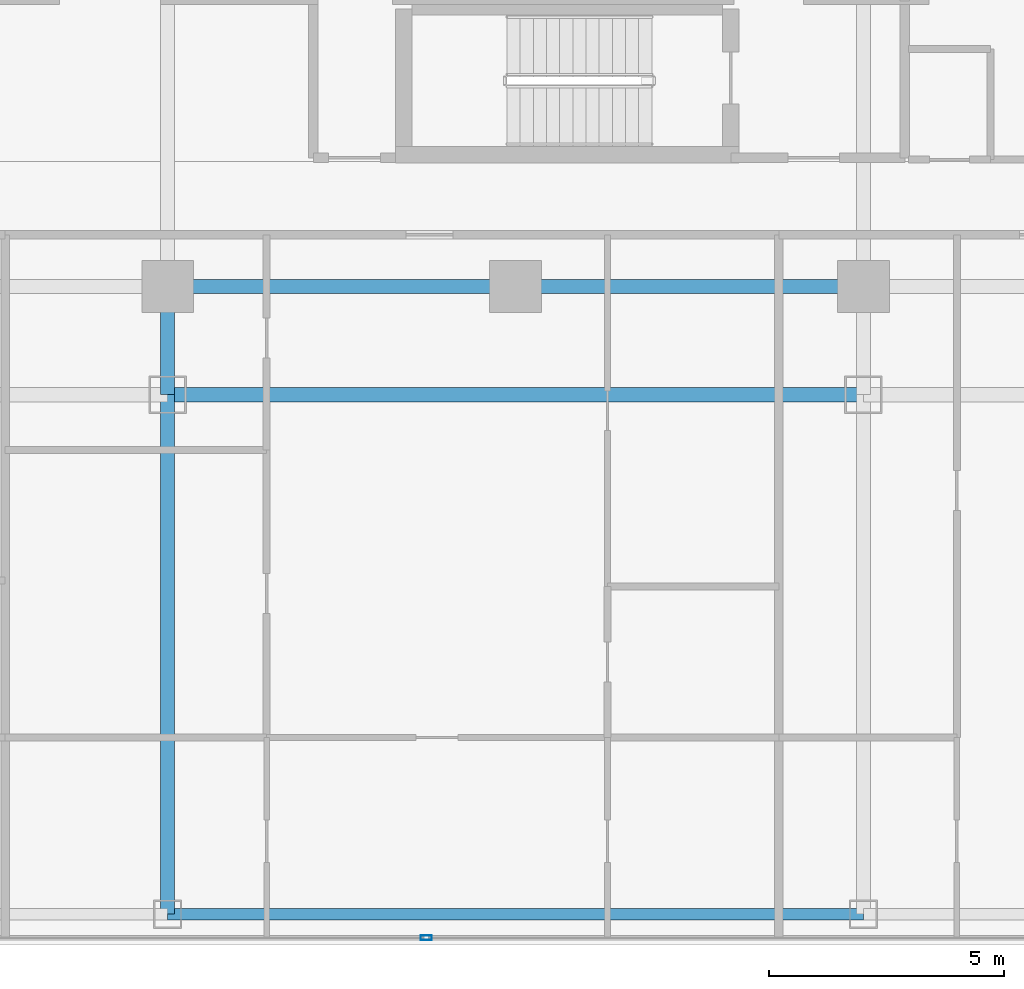
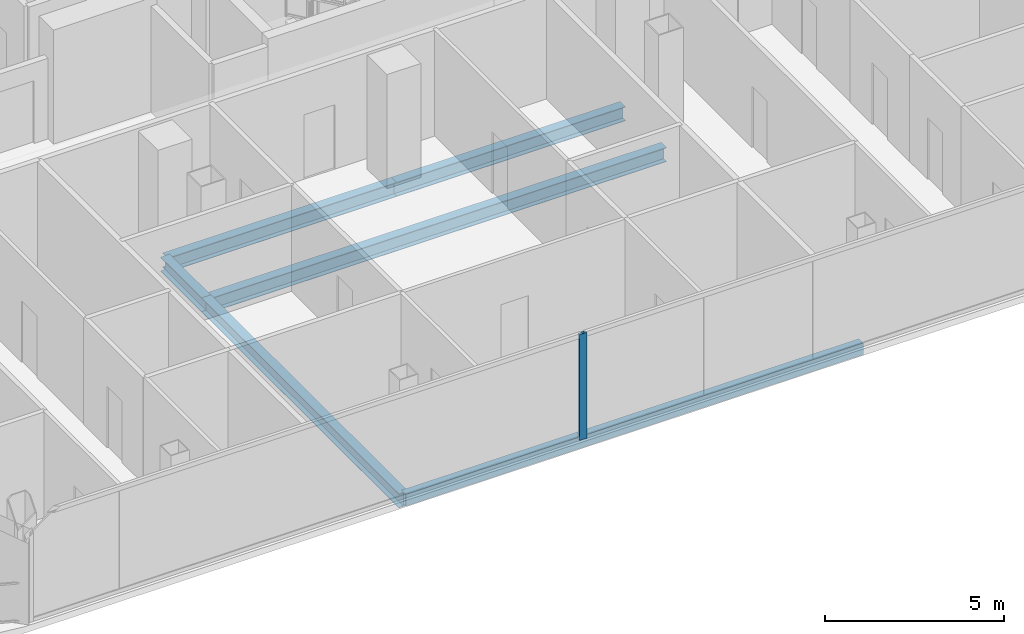
# One storey, part 4 of 23: 6 beams, 1 member, 1 element without a shape of its own.
"""IFC4 building model written with IfcOpenShell, lengths in metres."""

from ifc_helpers import new_model, si_unit, direction, frame, origin, origin_2d, place, context, subcontext, project, spatial, hollow_rectangle, i_section, extrude, material, layer, layer_set, material_profile, profile_set, type_object, element, aggregate, save


model = new_model("IFC4")

# Units and contexts
model_context = context("Model", 3, precision=1e-05, world=origin(), true_north=direction((0.0, 1.0)))
body_context = subcontext(model_context, "Body", "Model", "MODEL_VIEW")
ifc_project = project(units=[si_unit("LENGTHUNIT", "METRE"), si_unit("AREAUNIT", "SQUARE_METRE"), si_unit("VOLUMEUNIT", "CUBIC_METRE"), si_unit("PLANEANGLEUNIT", "RADIAN"), si_unit("MASSUNIT", "GRAM", prefix="KILO")], contexts=[model_context])

# Site, building, storey
site_placement = place(None, origin())
site = spatial("IfcSite", under=ifc_project, at=site_placement, CompositionType="ELEMENT")
building_placement = place(site_placement, origin())
building = spatial("IfcBuilding", under=site, at=building_placement, Name="Khorvyn Point Tower", CompositionType="ELEMENT")
storey_placement = place(building_placement, frame((0.0, 0.0, 207.0)))
storey = spatial("IfcBuildingStorey", under=building, at=storey_placement, Name="L51", CompositionType="ELEMENT", Elevation=207.0)

# Curtain wall, member
ifc_material_1 = material(Name="Anodised aluminium 6063-T6 and laminated Low-E glass", Category="aluminium")
ifc_layer = layer(ifc_material_1, 0.18994140625)
ifc_layer_set = layer_set([ifc_layer], Name="Stick-Built Acoustic Curtain Wall CW-SYS-03")
curtain_wall_type = type_object("IfcCurtainWallType", Name="Stick-Built Acoustic Curtain Wall CW-SYS-03", PredefinedType="NOTDEFINED", material=ifc_layer_set)
curtain_wall_placement = place(storey_placement, origin())
curtain_wall = element("IfcCurtainWall", 1, at=curtain_wall_placement, inside=storey, type_object=curtain_wall_type, Name="Curtain Wall", PredefinedType="NOTDEFINED")
ifc_material_2 = material(Name="Anodised aluminium 6063-T6", Category="aluminium")
ifc_material_profile_1 = material_profile(ifc_material_2, hollow_rectangle(XDim=0.10009765625, YDim=0.239990234375, WallThickness=0.0048828125, at=origin_2d()))
ifc_profile_set_1 = profile_set([ifc_material_profile_1], Name="Anodised aluminium 6063-T6 ALU-MUL-100x240")
member_type = type_object("IfcMemberType", Name="Anodised Aluminium 6063-T6 Mullion ALU-MUL-100x240", PredefinedType="MULLION", material=ifc_profile_set_1)
member_placement = place(storey_placement, frame((-1.89990234375, -28.64990234375, 0.0), z_axis=(0.0, 0.0, 1.0), x_axis=(0.0, -1.0, 0.0)))
member = element("IfcMember", 2, at=member_placement, type_object=member_type, Name="Transom", PredefinedType="MULLION", context=body_context, shape_type="SweptSolid", body=[
    extrude(hollow_rectangle(XDim=0.10009765625, YDim=0.239990234375, WallThickness=0.0048828125, at=origin_2d()), origin(), (0.0, 0.0, 1.0), 3.6201171875),
])
aggregate(curtain_wall, [member])

# Beams
ifc_material_3 = material(Name="Steel S355", Category="steel")
ifc_material_profile_2 = material_profile(ifc_material_3, i_section(OverallWidth=0.300048828125, OverallDepth=0.488037109375, WebThickness=0.010986328125, FlangeThickness=0.01806640625, at=origin_2d()))
ifc_profile_set_2 = profile_set([ifc_material_profile_2], Name="Steel S355 H488x300x11x18")
beam_type_1 = type_object("IfcBeamType", Name="Steel S355 Spandrel H488x300x11x18", PredefinedType="SPANDREL", material=ifc_profile_set_2)
for number, where, z_axis, x_axis, name in (
    (3, (-7.39990234375, -14.800048828125, -0.464111328125), (1.0, 0.0, 0.0), (0.0, 1.0, 0.0), "Beam"),
    (4, (0.0, -14.800048828125, -0.464111328125), (1.0, 0.0, 0.0), (0.0, 1.0, 0.0), "Beam"),
):
    element("IfcBeam", number, at=place(storey_placement, frame(where, z_axis=z_axis, x_axis=x_axis)), inside=storey, type_object=beam_type_1, Name=name, PredefinedType="SPANDREL", context=body_context, shape_type="SweptSolid", body=[
        extrude(i_section(OverallWidth=0.300048828125, OverallDepth=0.488037109375, WebThickness=0.010986328125, FlangeThickness=0.01806640625, at=origin_2d()), origin(), (0.0, 0.0, 1.0), 7.39990234375),
    ])
beam_1_placement = place(storey_placement, frame((-7.39990234375, -17.10009765625, -0.464111328125), z_axis=(1.0, 0.0, 0.0), x_axis=(0.0, 1.0, 0.0)))
element("IfcBeam", 5, at=beam_1_placement, inside=storey, type_object=beam_type_1, Name="Beam", PredefinedType="SPANDREL", context=body_context, shape_type="SweptSolid", body=[
    extrude(i_section(OverallWidth=0.300048828125, OverallDepth=0.488037109375, WebThickness=0.010986328125, FlangeThickness=0.01806640625, at=origin_2d()), origin(), (0.0, 0.0, 1.0), 14.7998046875),
])
beam_2_placement = place(storey_placement, frame((-7.39990234375, -28.14990234375, -0.464111328125), z_axis=(0.0, 1.0, 0.0), x_axis=(-1.0, 0.0, 0.0)))
element("IfcBeam", 6, at=beam_2_placement, inside=storey, type_object=beam_type_1, Name="Beam", PredefinedType="SPANDREL", context=body_context, shape_type="SweptSolid", body=[
    extrude(i_section(OverallWidth=0.300048828125, OverallDepth=0.488037109375, WebThickness=0.010986328125, FlangeThickness=0.01806640625, at=origin_2d()), origin(), (0.0, 0.0, 1.0), 11.0498046875),
])
beam_3_placement = place(storey_placement, frame((-7.39990234375, -17.10009765625, -0.464111328125), z_axis=(0.0, 1.0, 0.0), x_axis=(-1.0, 0.0, 0.0)))
element("IfcBeam", 7, at=beam_3_placement, inside=storey, type_object=beam_type_1, Name="Beam", PredefinedType="SPANDREL", context=body_context, shape_type="SweptSolid", body=[
    extrude(i_section(OverallWidth=0.300048828125, OverallDepth=0.488037109375, WebThickness=0.010986328125, FlangeThickness=0.01806640625, at=origin_2d()), origin(), (0.0, 0.0, 1.0), 2.300048828125),
])
ifc_material_profile_3 = material_profile(ifc_material_3, hollow_rectangle(XDim=0.25, YDim=0.39990234375, WallThickness=0.01611328125, at=origin_2d()))
ifc_profile_set_3 = profile_set([ifc_material_profile_3], Name="Steel S355 RHS400x250x16")
beam_type_2 = type_object("IfcBeamType", Name="Steel S355 Spandrel RHS400x250x16", PredefinedType="SPANDREL", material=ifc_profile_set_3)
beam_4_placement = place(storey_placement, frame((-7.39990234375, -28.14990234375, -0.419921875), z_axis=(1.0, 0.0, 0.0), x_axis=(0.0, 1.0, 0.0)))
element("IfcBeam", 8, at=beam_4_placement, inside=storey, type_object=beam_type_2, Name="Beam", PredefinedType="SPANDREL", context=body_context, shape_type="SweptSolid", body=[
    extrude(hollow_rectangle(XDim=0.25, YDim=0.39990234375, WallThickness=0.01611328125, at=origin_2d()), origin(), (0.0, 0.0, 1.0), 14.7998046875),
])

save(model, "model.ifc")
